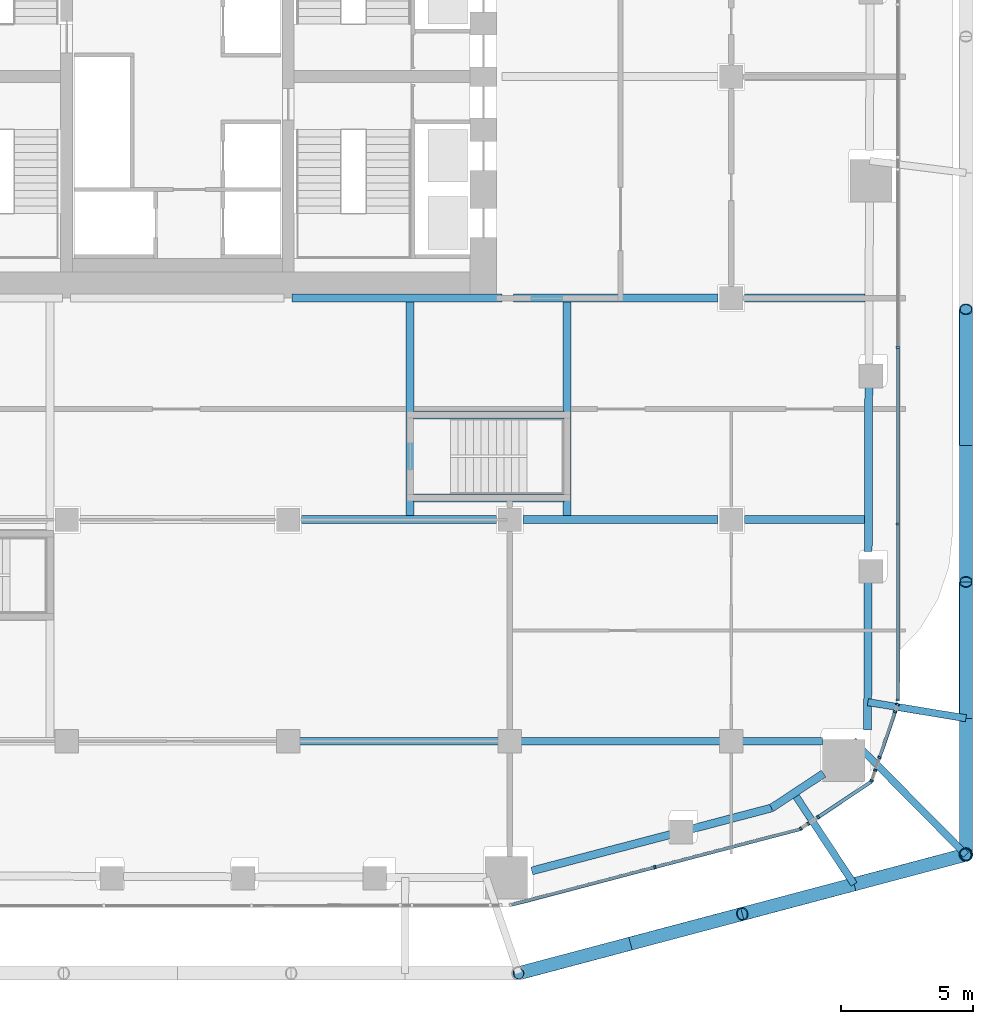
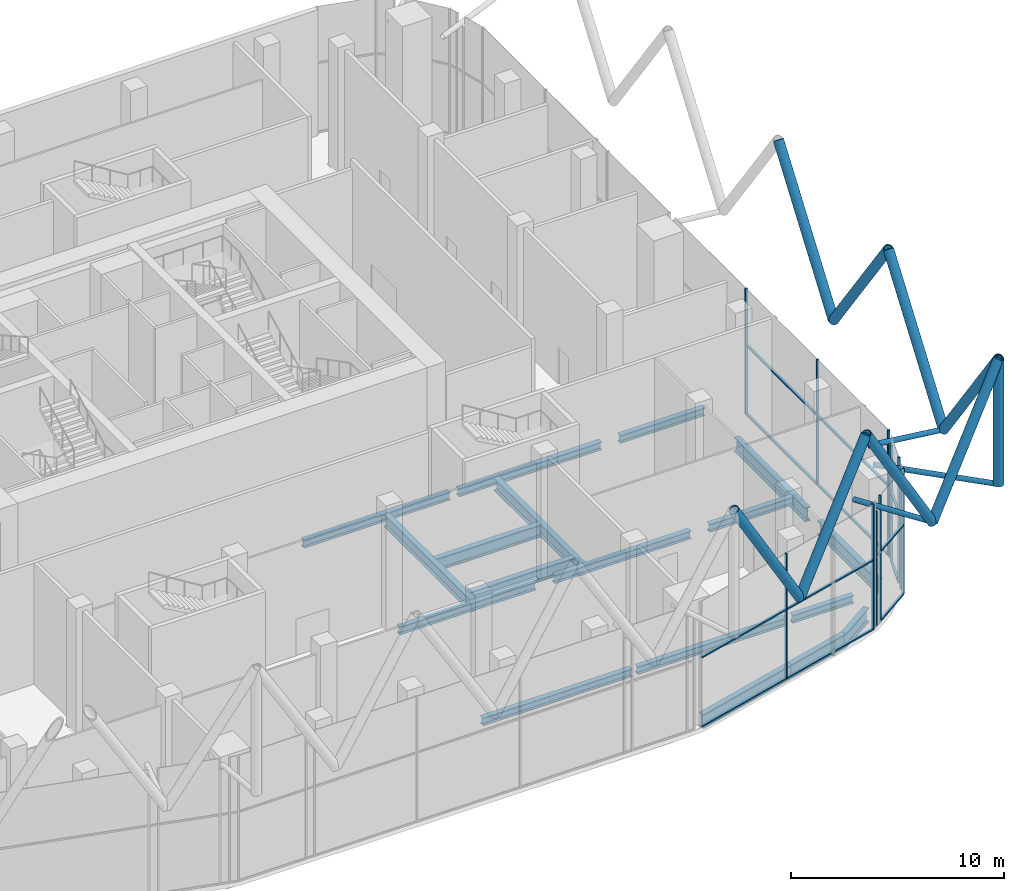
# One storey, part 6 of 34: 36 members, 18 beams, 9 elements without a shape of their own.
"""IFC4 building model written with IfcOpenShell, lengths in metres."""

from ifc_helpers import new_model, si_unit, direction, frame, origin, origin_2d, place, context, subcontext, project, spatial, rectangle, hollow_circle, i_section, extrude, material, layer, layer_set, material_profile, profile_set, type_object, element, aggregate, save


model = new_model("IFC4")

# Units and contexts
model_context = context("Model", 3, precision=1e-05, world=origin(), true_north=direction((0.0, 1.0)))
body_context = subcontext(model_context, "Body", "Model", "MODEL_VIEW")
ifc_project = project(units=[si_unit("LENGTHUNIT", "METRE"), si_unit("AREAUNIT", "SQUARE_METRE"), si_unit("VOLUMEUNIT", "CUBIC_METRE"), si_unit("PLANEANGLEUNIT", "RADIAN"), si_unit("MASSUNIT", "GRAM", prefix="KILO")], contexts=[model_context])

# Site, building, storey
site_placement = place(None, origin())
site = spatial("IfcSite", under=ifc_project, at=site_placement, CompositionType="ELEMENT")
building_placement = place(site_placement, origin())
building = spatial("IfcBuilding", under=site, at=building_placement, Name="Marenta Gate Hotel Tower", CompositionType="ELEMENT")
storey_placement = place(building_placement, frame((0.0, 0.0, 97.699951171875)))
storey = spatial("IfcBuildingStorey", under=building, at=storey_placement, Name="L21", CompositionType="ELEMENT", Elevation=97.699951171875)

# Members
ifc_material_1 = material(Name="Steel S355J2W", Category="steel")
ifc_material_profile_1 = material_profile(ifc_material_1, hollow_circle(Radius=0.25390625, WallThickness=0.02490234375, at=origin_2d()), Name="CHS 508x25")
ifc_profile_set_1 = profile_set([ifc_material_profile_1], Name="Steel S355J2W")
member_type_1 = type_object("IfcMemberType", Name="Diagrid corner post Z2 CHS 508x25", PredefinedType="POST", material=ifc_profile_set_1)
member_1_placement = place(storey_placement, frame((29.89990234375, -21.10009765625, 6.739990234375), z_axis=(0.0, 0.0, 1.0), x_axis=(1.0, 0.0, 0.0)))
element("IfcMember", 1, at=member_1_placement, inside=storey, type_object=member_type_1, Name="L21-DR-2", PredefinedType="POST", context=body_context, shape_type="SweptSolid", body=[
    extrude(hollow_circle(Radius=0.25390625, WallThickness=0.02490234375, at=origin_2d()), origin(), (0.0, 0.0, 1.0), 7.199951171875),
])
ifc_material_2 = material(Name="Steel S355J2W", Category="steel")
ifc_material_profile_2 = material_profile(ifc_material_2, hollow_circle(Radius=0.25390625, WallThickness=0.0400390625, at=origin_2d()), Name="CHS 508x40")
ifc_profile_set_2 = profile_set([ifc_material_profile_2], Name="Steel S355J2W")
member_type_2 = type_object("IfcMemberType", Name="Diagrid diagonal Z2 CHS 508x40", PredefinedType="BRACE", material=ifc_profile_set_2)
for number, where, z_axis, x_axis, name in (
    (2, (29.89990234375, -5.590087890625, 6.739990234375), (0.0, 0.583260841117, 0.812284919975), (-1.0, 0.0, 0.0), "L21-DG-7"),
    (3, (29.89990234375, -5.590087890625, 6.739990234375), (0.0, -0.583260841117, 0.812284919975), (1.0, 0.0, 0.0), "L21-DG-8"),
):
    element("IfcMember", number, at=place(storey_placement, frame(where, z_axis=z_axis, x_axis=x_axis)), inside=storey, type_object=member_type_2, Name=name, PredefinedType="BRACE", context=body_context, shape_type="SweptSolid", body=[
        extrude(hollow_circle(Radius=0.25390625, WallThickness=0.0400390625, at=origin_2d()), origin(), (0.0, 0.0, 1.0), 8.86376953125),
    ])
member_2_placement = place(storey_placement, frame((29.89990234375, -15.93017578125, 6.739990234375), z_axis=(0.0, 0.583279014058, 0.812271870595), x_axis=(-1.0, 0.0, 0.0)))
element("IfcMember", 4, at=member_2_placement, inside=storey, type_object=member_type_2, Name="L21-DG-9", PredefinedType="BRACE", context=body_context, shape_type="SweptSolid", body=[
    extrude(hollow_circle(Radius=0.25390625, WallThickness=0.0400390625, at=origin_2d()), origin(), (0.0, 0.0, 1.0), 8.864013671875),
])
member_3_placement = place(storey_placement, frame((29.89990234375, -15.93017578125, 6.739990234375), z_axis=(0.0, -0.583260841117, 0.812284919975), x_axis=(1.0, 0.0, 0.0)))
element("IfcMember", 5, at=member_3_placement, inside=storey, type_object=member_type_2, Name="L21-DG-10", PredefinedType="BRACE", context=body_context, shape_type="SweptSolid", body=[
    extrude(hollow_circle(Radius=0.25390625, WallThickness=0.0400390625, at=origin_2d()), origin(), (0.0, 0.0, 1.0), 8.86376953125),
])
member_4_placement = place(storey_placement, frame((25.659912109375, -22.22509765625, 6.739990234375), z_axis=(0.502902385412, 0.133435492139, 0.853981358218), x_axis=(-0.256456982503, 0.966555645644, 0.0)))
element("IfcMember", 6, at=member_4_placement, inside=storey, type_object=member_type_2, Name="L21-DG-11", PredefinedType="BRACE", context=body_context, shape_type="SweptSolid", body=[
    extrude(hollow_circle(Radius=0.25390625, WallThickness=0.0400390625, at=origin_2d()), origin(), (0.0, 0.0, 1.0), 8.43115234375),
])
member_5_placement = place(storey_placement, frame((25.659912109375, -22.22509765625, 6.739990234375), z_axis=(-0.502945650976, -0.133431605717, 0.853956485285), x_axis=(0.256429393985, -0.966562965306, 0.0)))
element("IfcMember", 7, at=member_5_placement, inside=storey, type_object=member_type_2, Name="L21-DG-12", PredefinedType="BRACE", context=body_context, shape_type="SweptSolid", body=[
    extrude(hollow_circle(Radius=0.25390625, WallThickness=0.0400390625, at=origin_2d()), origin(), (0.0, 0.0, 1.0), 8.431396484375),
])
for number, where, z_axis, x_axis, name in (
    (8, (17.17919921875, -24.47509765625, 6.739990234375), (0.502924018666, 0.133433548941, 0.853968921838), (-0.256443187528, 0.96655930577, 0.0), "L21-DG-13"),
    (9, (17.17919921875, -24.47509765625, 6.739990234375), (-0.502924018666, -0.133433548941, 0.853968921838), (0.256443187528, -0.96655930577, 0.0), "L21-DG-14"),
):
    element("IfcMember", number, at=place(storey_placement, frame(where, z_axis=z_axis, x_axis=x_axis)), inside=storey, type_object=member_type_2, Name=name, PredefinedType="BRACE", context=body_context, shape_type="SweptSolid", body=[
        extrude(hollow_circle(Radius=0.25390625, WallThickness=0.0400390625, at=origin_2d()), origin(), (0.0, 0.0, 1.0), 8.43115234375),
    ])

# Beams
ifc_material_3 = material(Name="Steel S355", Category="steel")
ifc_material_profile_3 = material_profile(ifc_material_3, i_section(OverallWidth=0.302978515625, OverallDepth=0.81396484375, WebThickness=0.030029296875, FlangeThickness=0.052001953125, FilletRadius=0.030029296875, at=origin_2d()), Name="HEM 800")
ifc_profile_set_3 = profile_set([ifc_material_profile_3], Name="Steel S355")
beam_type_1 = type_object("IfcBeamType", Name="Edge beam HEM 800", PredefinedType="SPANDREL", material=ifc_profile_set_3)
beam_1_placement = place(storey_placement, frame((26.21728515625, -2.91064453125, -0.6669921875), z_axis=(-0.003320422475, -0.999994487382, 0.0), x_axis=(0.999994487382, -0.003320422475, 0.0)))
element("IfcBeam", 10, at=beam_1_placement, inside=storey, type_object=beam_type_1, Name="L21-EB-25", PredefinedType="SPANDREL", context=body_context, shape_type="SweptSolid", body=[
    extrude(i_section(OverallWidth=0.302978515625, OverallDepth=0.81396484375, WebThickness=0.030029296875, FlangeThickness=0.052001953125, FilletRadius=0.030029296875, at=origin_2d()), origin(), (0.0, 0.0, 1.0), 6.69091796875),
])
beam_2_placement = place(storey_placement, frame((26.191162109375, -10.761962890625, -0.6669921875), z_axis=(-0.003344608171, -0.999994406782, 0.0), x_axis=(0.999994406782, -0.003344608171, 0.0)))
element("IfcBeam", 11, at=beam_2_placement, inside=storey, type_object=beam_type_1, Name="L21-EB-26", PredefinedType="SPANDREL", context=body_context, shape_type="SweptSolid", body=[
    extrude(i_section(OverallWidth=0.302978515625, OverallDepth=0.81396484375, WebThickness=0.030029296875, FlangeThickness=0.052001953125, FilletRadius=0.030029296875, at=origin_2d()), origin(), (0.0, 0.0, 1.0), 5.62060546875),
])
beam_3_placement = place(storey_placement, frame((24.50390625, -18.02734375, -0.6669921875), z_axis=(-0.83451831863, -0.550980195535, 0.0), x_axis=(0.550980195535, -0.83451831863, 0.0)))
element("IfcBeam", 12, at=beam_3_placement, inside=storey, type_object=beam_type_1, Name="L21-EB-27", PredefinedType="SPANDREL", context=body_context, shape_type="SweptSolid", body=[
    extrude(i_section(OverallWidth=0.302978515625, OverallDepth=0.81396484375, WebThickness=0.030029296875, FlangeThickness=0.052001953125, FilletRadius=0.030029296875, at=origin_2d()), origin(), (0.0, 0.0, 1.0), 2.3662109375),
])
beam_4_placement = place(storey_placement, frame((22.529296875, -19.3310546875, -0.6669921875), z_axis=(-0.967232430365, -0.25389254745, 0.0), x_axis=(0.25389254745, -0.967232430365, 0.0)))
element("IfcBeam", 13, at=beam_4_placement, inside=storey, type_object=beam_type_1, Name="L21-EB-28", PredefinedType="SPANDREL", context=body_context, shape_type="SweptSolid", body=[
    extrude(i_section(OverallWidth=0.302978515625, OverallDepth=0.81396484375, WebThickness=0.030029296875, FlangeThickness=0.052001953125, FilletRadius=0.030029296875, at=origin_2d()), origin(), (0.0, 0.0, 1.0), 3.5810546875),
])
beam_5_placement = place(storey_placement, frame((19.14306640625, -20.219970703125, -0.6669921875), z_axis=(-0.967227662601, -0.253910710093, 0.0), x_axis=(0.253910710093, -0.967227662601, 0.0)))
element("IfcBeam", 14, at=beam_5_placement, inside=storey, type_object=beam_type_1, Name="L21-EB-29", PredefinedType="SPANDREL", context=body_context, shape_type="SweptSolid", body=[
    extrude(i_section(OverallWidth=0.302978515625, OverallDepth=0.81396484375, WebThickness=0.030029296875, FlangeThickness=0.052001953125, FilletRadius=0.030029296875, at=origin_2d()), origin(), (0.0, 0.0, 1.0), 5.89990234375),
])

# Members
ifc_material_4 = material(Name="Steel S355J2W", Category="steel")
ifc_material_profile_4 = material_profile(ifc_material_4, hollow_circle(Radius=0.136474609375, WallThickness=0.012451171875, at=origin_2d()), Name="CHS 273x12.5")
ifc_profile_set_4 = profile_set([ifc_material_profile_4], Name="Steel S355J2W")
member_type_3 = type_object("IfcMemberType", Name="Floor tie CHS 273x12.5", PredefinedType="STRUT", material=ifc_profile_set_4)
member_6_placement = place(storey_placement, frame((29.89990234375, -15.93017578125, 6.739990234375), z_axis=(-0.986724686623, 0.162401948291, 0.0), x_axis=(-0.162401948291, -0.986724686623, 0.0)))
element("IfcMember", 15, at=member_6_placement, inside=storey, type_object=member_type_3, Name="L21-DR-10", PredefinedType="STRUT", context=body_context, shape_type="SweptSolid", body=[
    extrude(hollow_circle(Radius=0.136474609375, WallThickness=0.012451171875, at=origin_2d()), origin(), (0.0, 0.0, 1.0), 3.767333984375),
])
member_7_placement = place(storey_placement, frame((29.89990234375, -21.10009765625, 6.739990234375), z_axis=(-0.703467207322, 0.710727717359, 0.0), x_axis=(-0.710727717359, -0.703467207322, 0.0)))
element("IfcMember", 16, at=member_7_placement, inside=storey, type_object=member_type_3, Name="L21-DR-11", PredefinedType="STRUT", context=body_context, shape_type="SweptSolid", body=[
    extrude(hollow_circle(Radius=0.136474609375, WallThickness=0.012451171875, at=origin_2d()), origin(), (0.0, 0.0, 1.0), 6.086181640625),
])
member_8_placement = place(storey_placement, frame((25.659912109375, -22.22509765625, 6.739990234375), z_axis=(-0.551028164998, 0.834486645417, 0.0), x_axis=(-0.834486645417, -0.551028164998, 0.0)))
element("IfcMember", 17, at=member_8_placement, inside=storey, type_object=member_type_3, Name="L21-DR-12", PredefinedType="STRUT", context=body_context, shape_type="SweptSolid", body=[
    extrude(hollow_circle(Radius=0.136474609375, WallThickness=0.012451171875, at=origin_2d()), origin(), (0.0, 0.0, 1.0), 4.13330078125),
])

# Beams
ifc_material_5 = material(Name="Steel S355", Category="steel")
ifc_material_profile_5 = material_profile(ifc_material_5, i_section(OverallWidth=0.300048828125, OverallDepth=0.449951171875, WebThickness=0.013916015625, FlangeThickness=0.02587890625, FilletRadius=0.027099609375, at=origin_2d()), Name="HEB 450")
ifc_profile_set_5 = profile_set([ifc_material_profile_5], Name="Steel S355")
beam_type_2 = type_object("IfcBeamType", Name="Girder HEB 450", PredefinedType="BEAM", material=ifc_profile_set_5)
for number, where, z_axis, x_axis, name in (
    (18, (4.3515625, -16.800048828125, -0.48486328125), (1.0, 0.0, 0.0), (0.0, 1.0, 0.0), "L21-GD-5"),
    (19, (12.75146484375, -16.800048828125, -0.48486328125), (1.0, 0.0, 0.0), (0.0, 1.0, 0.0), "L21-GD-6"),
):
    element("IfcBeam", number, at=place(storey_placement, frame(where, z_axis=z_axis, x_axis=x_axis)), inside=storey, type_object=beam_type_2, Name=name, PredefinedType="BEAM", context=body_context, shape_type="SweptSolid", body=[
        extrude(i_section(OverallWidth=0.300048828125, OverallDepth=0.449951171875, WebThickness=0.013916015625, FlangeThickness=0.02587890625, FilletRadius=0.027099609375, at=origin_2d()), origin(), (0.0, 0.0, 1.0), 8.096923828125),
    ])
beam_6_placement = place(storey_placement, frame((21.151611328125, -16.800048828125, -0.48486328125), z_axis=(1.0, 0.0, 0.0), x_axis=(0.0, 1.0, 0.0)))
element("IfcBeam", 20, at=beam_6_placement, inside=storey, type_object=beam_type_2, Name="L21-GD-7", PredefinedType="BEAM", context=body_context, shape_type="SweptSolid", body=[
    extrude(i_section(OverallWidth=0.300048828125, OverallDepth=0.449951171875, WebThickness=0.013916015625, FlangeThickness=0.02587890625, FilletRadius=0.027099609375, at=origin_2d()), origin(), (0.0, 0.0, 1.0), 3.311279296875),
])
beam_7_placement = place(storey_placement, frame((4.699951171875, -8.39990234375, -0.48486328125), z_axis=(1.0, 0.0, 0.0), x_axis=(0.0, 1.0, 0.0)))
element("IfcBeam", 21, at=beam_7_placement, inside=storey, type_object=beam_type_2, Name="L21-GD-13", PredefinedType="BEAM", context=body_context, shape_type="SweptSolid", body=[
    extrude(i_section(OverallWidth=0.300048828125, OverallDepth=0.449951171875, WebThickness=0.013916015625, FlangeThickness=0.02587890625, FilletRadius=0.027099609375, at=origin_2d()), origin(), (0.0, 0.0, 1.0), 7.400146484375),
])
beam_8_placement = place(storey_placement, frame((13.10009765625, -8.39990234375, -0.48486328125), z_axis=(1.0, 0.0, 0.0), x_axis=(0.0, 1.0, 0.0)))
element("IfcBeam", 22, at=beam_8_placement, inside=storey, type_object=beam_type_2, Name="L21-GD-14", PredefinedType="BEAM", context=body_context, shape_type="SweptSolid", body=[
    extrude(i_section(OverallWidth=0.300048828125, OverallDepth=0.449951171875, WebThickness=0.013916015625, FlangeThickness=0.02587890625, FilletRadius=0.027099609375, at=origin_2d()), origin(), (0.0, 0.0, 1.0), 7.39990234375),
])
beam_9_placement = place(storey_placement, frame((21.5, -8.39990234375, -0.48486328125), z_axis=(1.0, 0.0, 0.0), x_axis=(0.0, 1.0, 0.0)))
element("IfcBeam", 23, at=beam_9_placement, inside=storey, type_object=beam_type_2, Name="L21-GD-15", PredefinedType="BEAM", context=body_context, shape_type="SweptSolid", body=[
    extrude(i_section(OverallWidth=0.300048828125, OverallDepth=0.449951171875, WebThickness=0.013916015625, FlangeThickness=0.02587890625, FilletRadius=0.027099609375, at=origin_2d()), origin(), (0.0, 0.0, 1.0), 4.547607421875),
])
beam_10_placement = place(storey_placement, frame((4.3515625, 0.0, -0.48486328125), z_axis=(1.0, 0.0, 0.0), x_axis=(0.0, 1.0, 0.0)))
element("IfcBeam", 24, at=beam_10_placement, inside=storey, type_object=beam_type_2, Name="L21-GD-20", PredefinedType="BEAM", context=body_context, shape_type="SweptSolid", body=[
    extrude(i_section(OverallWidth=0.300048828125, OverallDepth=0.449951171875, WebThickness=0.013916015625, FlangeThickness=0.02587890625, FilletRadius=0.027099609375, at=origin_2d()), origin(), (0.0, 0.0, 1.0), 7.948486328125),
])
beam_11_placement = place(storey_placement, frame((12.75146484375, 0.0, -0.48486328125), z_axis=(1.0, 0.0, 0.0), x_axis=(0.0, 1.0, 0.0)))
element("IfcBeam", 25, at=beam_11_placement, inside=storey, type_object=beam_type_2, Name="L21-GD-21", PredefinedType="BEAM", context=body_context, shape_type="SweptSolid", body=[
    extrude(i_section(OverallWidth=0.300048828125, OverallDepth=0.449951171875, WebThickness=0.013916015625, FlangeThickness=0.02587890625, FilletRadius=0.027099609375, at=origin_2d()), origin(), (0.0, 0.0, 1.0), 7.74853515625),
])
beam_12_placement = place(storey_placement, frame((21.5, 0.0, -0.48486328125), z_axis=(1.0, 0.0, 0.0), x_axis=(0.0, 1.0, 0.0)))
element("IfcBeam", 26, at=beam_12_placement, inside=storey, type_object=beam_type_2, Name="L21-GD-22", PredefinedType="BEAM", context=body_context, shape_type="SweptSolid", body=[
    extrude(i_section(OverallWidth=0.300048828125, OverallDepth=0.449951171875, WebThickness=0.013916015625, FlangeThickness=0.02587890625, FilletRadius=0.027099609375, at=origin_2d()), origin(), (0.0, 0.0, 1.0), 4.575439453125),
])

# Curtain wall, member
ifc_material_6 = material(Name="Tinted insulated glass in bronze anodised frame", Category="glass")
ifc_layer = layer(ifc_material_6, 0.1298828125)
ifc_layer_set = layer_set([ifc_layer], Name="Tinted insulated glass in bronze anodised frame")
curtain_wall_type = type_object("IfcCurtainWallType", Name="Sky lobby glazing CW2", PredefinedType="NOTDEFINED", material=ifc_layer_set)
curtain_wall_1_placement = place(storey_placement, origin())
curtain_wall_1 = element("IfcCurtainWall", 27, at=curtain_wall_1_placement, inside=storey, type_object=curtain_wall_type, Name="CW2 run G25", PredefinedType="NOTDEFINED")
ifc_material_7 = material(Name="Bronze anodised aluminium", Category="aluminium")
ifc_material_profile_6 = material_profile(ifc_material_7, rectangle(XDim=0.1298828125, YDim=0.080078125, at=origin_2d()), Name="Mullion CW2 80x130 bronze anodised aluminium")
ifc_profile_set_6 = profile_set([ifc_material_profile_6], Name="Bronze anodised aluminium")
member_type_4 = type_object("IfcMemberType", Name="Mullion CW2 80x130 bronze anodised aluminium", PredefinedType="MULLION", material=ifc_profile_set_6)
member_9_placement = place(storey_placement, frame((18.10400390625, -21.576416015625, 0.0), z_axis=(0.0, 0.0, 1.0), x_axis=(-0.253366634412, 0.967370326487, 0.0)))
member_9 = element("IfcMember", 28, at=member_9_placement, type_object=member_type_4, Name="CW2 mullion 2", PredefinedType="MULLION", context=body_context, shape_type="SweptSolid", body=[
    extrude(rectangle(XDim=0.1298828125, YDim=0.080078125, at=origin_2d()), origin(), (0.0, 0.0, 1.0), 7.199951171875),
])

curtain_wall_2_placement = place(storey_placement, origin())
curtain_wall_2 = element("IfcCurtainWall", 29, at=curtain_wall_2_placement, inside=storey, type_object=curtain_wall_type, Name="CW2 run G26", PredefinedType="NOTDEFINED")
member_10_placement = place(storey_placement, frame((23.64306640625, -20.112060546875, 0.0), z_axis=(0.0, 0.0, 1.0), x_axis=(-0.554074960349, 0.832466779106, 0.0)))
member_10 = element("IfcMember", 30, at=member_10_placement, type_object=member_type_4, Name="CW2 mullion 1", PredefinedType="MULLION", context=body_context, shape_type="SweptSolid", body=[
    extrude(rectangle(XDim=0.1298828125, YDim=0.080078125, at=origin_2d()), origin(), (0.0, 0.0, 1.0), 7.199951171875),
])
aggregate(curtain_wall_2, [member_10])

curtain_wall_3_placement = place(storey_placement, origin())
curtain_wall_3 = element("IfcCurtainWall", 31, at=curtain_wall_3_placement, inside=storey, type_object=curtain_wall_type, Name="CW2 run G27", PredefinedType="NOTDEFINED")
member_11_placement = place(storey_placement, frame((23.919677734375, -19.927978515625, 0.0), z_axis=(0.0, 0.0, 1.0), x_axis=(-0.554088731944, 0.832457612814, 0.0)))
member_11 = element("IfcMember", 32, at=member_11_placement, type_object=member_type_4, Name="CW2 mullion 1", PredefinedType="MULLION", context=body_context, shape_type="SweptSolid", body=[
    extrude(rectangle(XDim=0.1298828125, YDim=0.080078125, at=origin_2d()), origin(), (0.0, 0.0, 1.0), 6.6005859375),
])
aggregate(curtain_wall_3, [member_11])

curtain_wall_4_placement = place(storey_placement, origin())
curtain_wall_4 = element("IfcCurtainWall", 33, at=curtain_wall_4_placement, inside=storey, type_object=curtain_wall_type, Name="CW2 run G28", PredefinedType="NOTDEFINED")
member_12_placement = place(storey_placement, frame((24.296630859375, -19.677001953125, 0.0), z_axis=(0.0, 0.0, 1.0), x_axis=(-0.554023847397, 0.832500796706, 0.0)))
member_12 = element("IfcMember", 34, at=member_12_placement, type_object=member_type_4, Name="CW2 mullion 1", PredefinedType="MULLION", context=body_context, shape_type="SweptSolid", body=[
    extrude(rectangle(XDim=0.1298828125, YDim=0.080078125, at=origin_2d()), origin(), (0.0, 0.0, 1.0), 7.199951171875),
])

curtain_wall_5_placement = place(storey_placement, origin())
curtain_wall_5 = element("IfcCurtainWall", 35, at=curtain_wall_5_placement, inside=storey, type_object=curtain_wall_type, Name="CW2 run G29", PredefinedType="NOTDEFINED")
member_13_placement = place(storey_placement, frame((26.322021484375, -18.300048828125, 0.0), z_axis=(0.0, 0.0, 1.0), x_axis=(-0.946747068548, 0.321978241805, 0.0)))
member_13 = element("IfcMember", 36, at=member_13_placement, type_object=member_type_4, Name="CW2 mullion 1", PredefinedType="MULLION", context=body_context, shape_type="SweptSolid", body=[
    extrude(rectangle(XDim=0.1298828125, YDim=0.080078125, at=origin_2d()), origin(), (0.0, 0.0, 1.0), 7.199951171875),
])
aggregate(curtain_wall_5, [member_13])

curtain_wall_6_placement = place(storey_placement, origin())
curtain_wall_6 = element("IfcCurtainWall", 37, at=curtain_wall_6_placement, inside=storey, type_object=curtain_wall_type, Name="CW2 run G30", PredefinedType="NOTDEFINED")
member_14_placement = place(storey_placement, frame((26.45947265625, -17.895263671875, 0.0), z_axis=(0.0, 0.0, 1.0), x_axis=(-0.946689642246, 0.322147049132, 0.0)))
member_14 = element("IfcMember", 38, at=member_14_placement, type_object=member_type_4, Name="CW2 mullion 1", PredefinedType="MULLION", context=body_context, shape_type="SweptSolid", body=[
    extrude(rectangle(XDim=0.1298828125, YDim=0.080078125, at=origin_2d()), origin(), (0.0, 0.0, 1.0), 6.6005859375),
])
aggregate(curtain_wall_6, [member_14])

curtain_wall_7_placement = place(storey_placement, origin())
curtain_wall_7 = element("IfcCurtainWall", 39, at=curtain_wall_7_placement, inside=storey, type_object=curtain_wall_type, Name="CW2 run G31", PredefinedType="NOTDEFINED")
member_15_placement = place(storey_placement, frame((26.622802734375, -17.416015625, 0.0), z_axis=(0.0, 0.0, 1.0), x_axis=(-0.946732238943, 0.322021843584, 0.0)))
member_15 = element("IfcMember", 40, at=member_15_placement, type_object=member_type_4, Name="CW2 mullion 1", PredefinedType="MULLION", context=body_context, shape_type="SweptSolid", body=[
    extrude(rectangle(XDim=0.1298828125, YDim=0.080078125, at=origin_2d()), origin(), (0.0, 0.0, 1.0), 7.199951171875),
])

# Curtain wall, members
curtain_wall_8_placement = place(storey_placement, origin())
curtain_wall_8 = element("IfcCurtainWall", 41, at=curtain_wall_8_placement, inside=storey, type_object=curtain_wall_type, Name="CW2 run G32", PredefinedType="NOTDEFINED")
member_16_placement = place(storey_placement, frame((27.2138671875, -15.677734375, 0.0), z_axis=(0.0, 0.0, 1.0), x_axis=(-0.946726116827, 0.322039841818, 0.0)))
member_16 = element("IfcMember", 42, at=member_16_placement, type_object=member_type_4, Name="CW2 mullion 1", PredefinedType="MULLION", context=body_context, shape_type="SweptSolid", body=[
    extrude(rectangle(XDim=0.1298828125, YDim=0.080078125, at=origin_2d()), origin(), (0.0, 0.0, 1.0), 6.6005859375),
])
member_17_placement = place(storey_placement, frame((27.30615234375, -15.40673828125, 0.0), z_axis=(0.0, 0.0, 1.0), x_axis=(-0.946726116827, 0.322039841818, 0.0)))
member_17 = element("IfcMember", 43, at=member_17_placement, type_object=member_type_4, Name="CW2 mullion 2", PredefinedType="MULLION", context=body_context, shape_type="SweptSolid", body=[
    extrude(rectangle(XDim=0.1298828125, YDim=0.080078125, at=origin_2d()), origin(), (0.0, 0.0, 1.0), 6.6005859375),
])
aggregate(curtain_wall_8, [member_16, member_17])

curtain_wall_9_placement = place(storey_placement, origin())
curtain_wall_9 = element("IfcCurtainWall", 44, at=curtain_wall_9_placement, inside=storey, type_object=curtain_wall_type, Name="CW2 run G33", PredefinedType="NOTDEFINED")
member_18_placement = place(storey_placement, frame((27.319091796875, -15.23583984375, 0.0), z_axis=(0.0, 0.0, 1.0), x_axis=(-1.0, 0.0, 0.0)))
member_18 = element("IfcMember", 45, at=member_18_placement, type_object=member_type_4, Name="CW2 mullion 1", PredefinedType="MULLION", context=body_context, shape_type="SweptSolid", body=[
    extrude(rectangle(XDim=0.1298828125, YDim=0.080078125, at=origin_2d()), origin(), (0.0, 0.0, 1.0), 7.199951171875),
])
member_19_placement = place(storey_placement, frame((27.319091796875, -8.568359375, 0.0), z_axis=(0.0, 0.0, 1.0), x_axis=(-1.0, 0.0, 0.0)))
member_19 = element("IfcMember", 46, at=member_19_placement, type_object=member_type_4, Name="CW2 mullion 2", PredefinedType="MULLION", context=body_context, shape_type="SweptSolid", body=[
    extrude(rectangle(XDim=0.1298828125, YDim=0.080078125, at=origin_2d()), origin(), (0.0, 0.0, 1.0), 7.199951171875),
])
member_20_placement = place(storey_placement, frame((27.319091796875, -1.86083984375, 0.0), z_axis=(0.0, 0.0, 1.0), x_axis=(-1.0, 0.0, 0.0)))
member_20 = element("IfcMember", 47, at=member_20_placement, type_object=member_type_4, Name="CW2 mullion 3", PredefinedType="MULLION", context=body_context, shape_type="SweptSolid", body=[
    extrude(rectangle(XDim=0.1298828125, YDim=0.080078125, at=origin_2d()), origin(), (0.0, 0.0, 1.0), 7.199951171875),
])

# Beams
ifc_material_8 = material(Name="Steel S355", Category="steel")
ifc_material_profile_7 = material_profile(ifc_material_8, i_section(OverallWidth=0.303955078125, OverallDepth=0.716064453125, WebThickness=0.027099609375, FlangeThickness=0.048095703125, FilletRadius=0.027099609375, at=origin_2d()), Name="HEM 700")
ifc_profile_set_7 = profile_set([ifc_material_profile_7], Name="Steel S355")
beam_type_3 = type_object("IfcBeamType", Name="Stair wall transfer beam HEM 700", PredefinedType="BEAM", material=ifc_profile_set_7)
for number, where, z_axis, x_axis, name in (
    (48, (8.824951171875, -8.25, -0.617919921875), (0.0, 1.0, 0.0), (-1.0, 0.0, 0.0), "L21-XB-RS-Z2-2-a"),
    (49, (14.77490234375, -8.25, -0.617919921875), (0.0, 1.0, 0.0), (-1.0, 0.0, 0.0), "L21-XB-RS-Z2-2-b"),
):
    element("IfcBeam", number, at=place(storey_placement, frame(where, z_axis=z_axis, x_axis=x_axis)), inside=storey, type_object=beam_type_3, Name=name, PredefinedType="BEAM", context=body_context, shape_type="SweptSolid", body=[
        extrude(i_section(OverallWidth=0.303955078125, OverallDepth=0.716064453125, WebThickness=0.027099609375, FlangeThickness=0.048095703125, FilletRadius=0.027099609375, at=origin_2d()), origin(), (0.0, 0.0, 1.0), 8.10009765625),
    ])
for number, where, z_axis, x_axis, name in (
    (50, (8.949951171875, -7.574951171875, -0.617919921875), (1.0, 0.0, 0.0), (0.0, 1.0, 0.0), "L21-XB-RS-Z2-2-c"),
    (51, (8.949951171875, -4.425048828125, -0.617919921875), (1.0, 0.0, 0.0), (0.0, 1.0, 0.0), "L21-XB-RS-Z2-2-d"),
):
    element("IfcBeam", number, at=place(storey_placement, frame(where, z_axis=z_axis, x_axis=x_axis)), inside=storey, type_object=beam_type_3, Name=name, PredefinedType="BEAM", context=body_context, shape_type="SweptSolid", body=[
        extrude(i_section(OverallWidth=0.303955078125, OverallDepth=0.716064453125, WebThickness=0.027099609375, FlangeThickness=0.048095703125, FilletRadius=0.027099609375, at=origin_2d()), origin(), (0.0, 0.0, 1.0), 5.699951171875),
    ])

# Member
ifc_material_9 = material(Name="Bronze anodised aluminium", Category="aluminium")
ifc_material_profile_8 = material_profile(ifc_material_9, rectangle(XDim=0.1298828125, YDim=0.080078125, at=origin_2d()), Name="Transom CW2 80x130 bronze anodised aluminium")
ifc_profile_set_8 = profile_set([ifc_material_profile_8], Name="Bronze anodised aluminium")
member_type_5 = type_object("IfcMemberType", Name="Transom CW2 80x130 bronze anodised aluminium", PredefinedType="USERDEFINED", material=ifc_profile_set_8)
member_21_placement = place(storey_placement, frame((12.67578125, -22.998046875, 0.0400390625), z_axis=(0.967370177641, 0.253367202714, 0.0), x_axis=(-0.253367202714, 0.967370177641, 0.0)))
member_21 = element("IfcMember", 52, at=member_21_placement, type_object=member_type_5, Name="CW2 transom 1.1", ObjectType="TRANSOM", PredefinedType="USERDEFINED", context=body_context, shape_type="SweptSolid", body=[
    extrude(rectangle(XDim=0.1298828125, YDim=0.080078125, at=origin_2d()), origin(), (0.0, 0.0, 1.0), 5.571533203125),
])

member_22_placement = place(storey_placement, frame((12.67578125, -22.998046875, 4.0), z_axis=(0.967370177641, 0.253367202714, 0.0), x_axis=(-0.253367202714, 0.967370177641, 0.0)))
member_22 = element("IfcMember", 53, at=member_22_placement, type_object=member_type_5, Name="CW2 transom 1.2", ObjectType="TRANSOM", PredefinedType="USERDEFINED", context=body_context, shape_type="SweptSolid", body=[
    extrude(rectangle(XDim=0.1298828125, YDim=0.080078125, at=origin_2d()), origin(), (0.0, 0.0, 1.0), 5.571533203125),
])

member_23_placement = place(storey_placement, frame((18.142822265625, -21.566162109375, 0.0400390625), z_axis=(0.96736768535, 0.253376718229, 0.0), x_axis=(-0.253376718229, 0.96736768535, 0.0)))
member_23 = element("IfcMember", 54, at=member_23_placement, type_object=member_type_5, Name="CW2 transom 2.1", ObjectType="TRANSOM", PredefinedType="USERDEFINED", context=body_context, shape_type="SweptSolid", body=[
    extrude(rectangle(XDim=0.1298828125, YDim=0.080078125, at=origin_2d()), origin(), (0.0, 0.0, 1.0), 5.651123046875),
])

member_24_placement = place(storey_placement, frame((18.142822265625, -21.566162109375, 4.0), z_axis=(0.96736768535, 0.253376718229, 0.0), x_axis=(-0.253376718229, 0.96736768535, 0.0)))
member_24 = element("IfcMember", 55, at=member_24_placement, type_object=member_type_5, Name="CW2 transom 2.2", ObjectType="TRANSOM", PredefinedType="USERDEFINED", context=body_context, shape_type="SweptSolid", body=[
    extrude(rectangle(XDim=0.1298828125, YDim=0.080078125, at=origin_2d()), origin(), (0.0, 0.0, 1.0), 5.651123046875),
])

aggregate(curtain_wall_1, [member_9, member_21, member_22, member_23, member_24])

member_25_placement = place(storey_placement, frame((24.330078125, -19.65478515625, 0.0400390625), z_axis=(0.832524012059, 0.553988961393, 0.0), x_axis=(-0.553988961393, 0.832524012059, 0.0)))
member_25 = element("IfcMember", 56, at=member_25_placement, type_object=member_type_5, Name="CW2 transom 1.1", ObjectType="TRANSOM", PredefinedType="USERDEFINED", context=body_context, shape_type="SweptSolid", body=[
    extrude(rectangle(XDim=0.1298828125, YDim=0.080078125, at=origin_2d()), origin(), (0.0, 0.0, 1.0), 2.377197265625),
])

member_26_placement = place(storey_placement, frame((24.330078125, -19.65478515625, 4.0), z_axis=(0.832524012059, 0.553988961393, 0.0), x_axis=(-0.553988961393, 0.832524012059, 0.0)))
member_26 = element("IfcMember", 57, at=member_26_placement, type_object=member_type_5, Name="CW2 transom 1.2", ObjectType="TRANSOM", PredefinedType="USERDEFINED", context=body_context, shape_type="SweptSolid", body=[
    extrude(rectangle(XDim=0.1298828125, YDim=0.080078125, at=origin_2d()), origin(), (0.0, 0.0, 1.0), 2.377197265625),
])

aggregate(curtain_wall_4, [member_12, member_25, member_26])

member_27_placement = place(storey_placement, frame((26.635498046875, -17.378173828125, 0.0400390625), z_axis=(0.322102104914, 0.94670493503, 0.0), x_axis=(-0.94670493503, 0.322102104914, 0.0)))
member_27 = element("IfcMember", 58, at=member_27_placement, type_object=member_type_5, Name="CW2 transom 1.1", ObjectType="TRANSOM", PredefinedType="USERDEFINED", context=body_context, shape_type="SweptSolid", body=[
    extrude(rectangle(XDim=0.1298828125, YDim=0.080078125, at=origin_2d()), origin(), (0.0, 0.0, 1.0), 1.756103515625),
])

member_28_placement = place(storey_placement, frame((26.635498046875, -17.378173828125, 4.0), z_axis=(0.322102104914, 0.94670493503, 0.0), x_axis=(-0.94670493503, 0.322102104914, 0.0)))
member_28 = element("IfcMember", 59, at=member_28_placement, type_object=member_type_5, Name="CW2 transom 1.2", ObjectType="TRANSOM", PredefinedType="USERDEFINED", context=body_context, shape_type="SweptSolid", body=[
    extrude(rectangle(XDim=0.1298828125, YDim=0.080078125, at=origin_2d()), origin(), (0.0, 0.0, 1.0), 1.756103515625),
])

aggregate(curtain_wall_7, [member_15, member_27, member_28])

member_29_placement = place(storey_placement, frame((27.319091796875, -15.19580078125, 0.0400390625), z_axis=(0.0, 1.0, 0.0), x_axis=(-1.0, 0.0, 0.0)))
member_29 = element("IfcMember", 60, at=member_29_placement, type_object=member_type_5, Name="CW2 transom 1.1", ObjectType="TRANSOM", PredefinedType="USERDEFINED", context=body_context, shape_type="SweptSolid", body=[
    extrude(rectangle(XDim=0.1298828125, YDim=0.080078125, at=origin_2d()), origin(), (0.0, 0.0, 1.0), 6.58740234375),
])

member_30_placement = place(storey_placement, frame((27.319091796875, -15.19580078125, 4.0), z_axis=(0.0, 1.0, 0.0), x_axis=(-1.0, 0.0, 0.0)))
member_30 = element("IfcMember", 61, at=member_30_placement, type_object=member_type_5, Name="CW2 transom 1.2", ObjectType="TRANSOM", PredefinedType="USERDEFINED", context=body_context, shape_type="SweptSolid", body=[
    extrude(rectangle(XDim=0.1298828125, YDim=0.080078125, at=origin_2d()), origin(), (0.0, 0.0, 1.0), 6.58740234375),
])

member_31_placement = place(storey_placement, frame((27.319091796875, -8.5283203125, 0.0400390625), z_axis=(0.0, 1.0, 0.0), x_axis=(-1.0, 0.0, 0.0)))
member_31 = element("IfcMember", 62, at=member_31_placement, type_object=member_type_5, Name="CW2 transom 2.1", ObjectType="TRANSOM", PredefinedType="USERDEFINED", context=body_context, shape_type="SweptSolid", body=[
    extrude(rectangle(XDim=0.1298828125, YDim=0.080078125, at=origin_2d()), origin(), (0.0, 0.0, 1.0), 6.62744140625),
])

member_32_placement = place(storey_placement, frame((27.319091796875, -8.5283203125, 4.0), z_axis=(0.0, 1.0, 0.0), x_axis=(-1.0, 0.0, 0.0)))
member_32 = element("IfcMember", 63, at=member_32_placement, type_object=member_type_5, Name="CW2 transom 2.2", ObjectType="TRANSOM", PredefinedType="USERDEFINED", context=body_context, shape_type="SweptSolid", body=[
    extrude(rectangle(XDim=0.1298828125, YDim=0.080078125, at=origin_2d()), origin(), (0.0, 0.0, 1.0), 6.62744140625),
])

aggregate(curtain_wall_9, [member_18, member_19, member_20, member_29, member_30, member_31, member_32])

save(model, "model.ifc")
